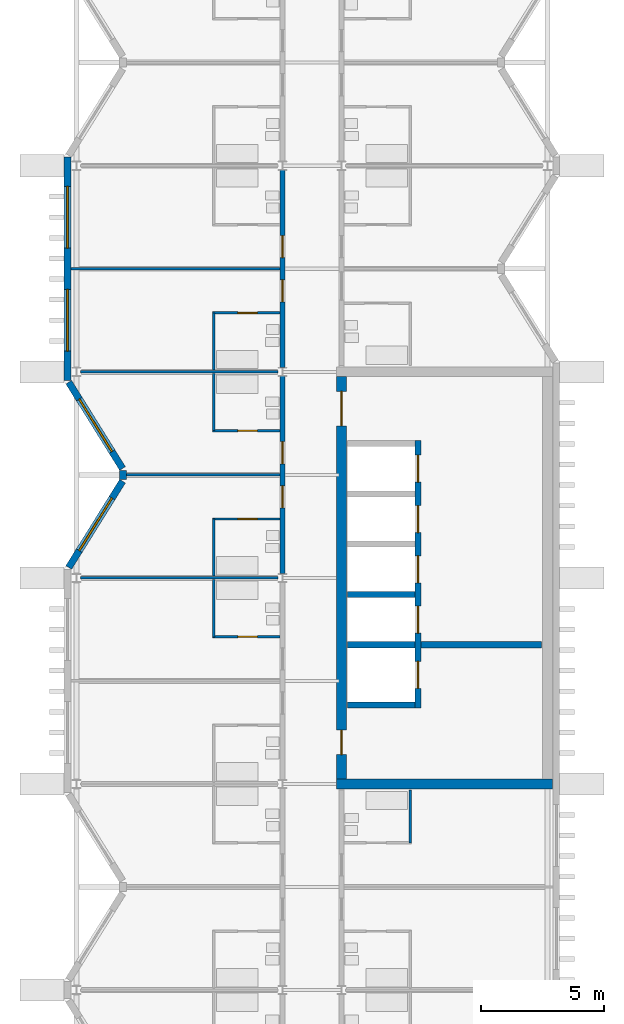
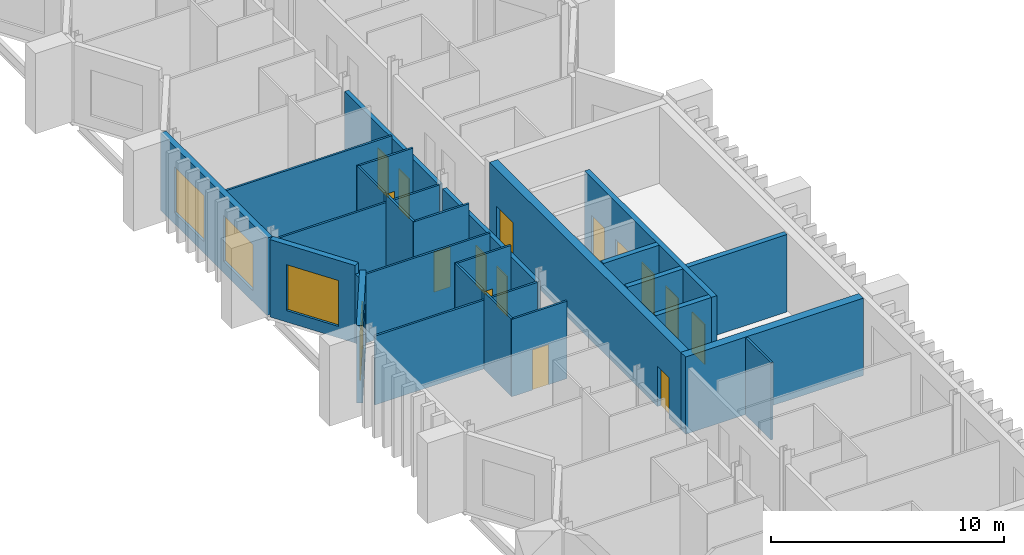
# One storey, part 6 of 11: 26 walls, 15 doors, 4 windows, 19 openings.
"""IFC4 building model written with IfcOpenShell, lengths in metres."""

import ifcopenshell
import ifcopenshell.guid

model = None  # the IFC model being written
_history = None  # IfcOwnerHistory: only IFC2X3 demands one
_inside = {}  # id of a spatial element -> (the spatial element, [elements in it])
_under = {}  # id of a project, library or spatial element -> (it, [spatial elements below it])
_declared = {}  # id of a project -> (the project, [libraries it declares])
_typed = {}  # id of a type object -> (the type object, [elements of that type])
_made_of = {}  # id of a material, layer set ... -> (it, [elements and type objects made of it])


def new_model(schema):
    """Start an empty IFC model of exactly this schema.

    Asked for "IFC4X3", IfcOpenShell would pick the latest addendum, in which some entities
    have other attributes; the version numbers below select the first issue.
    IFC2X3 requires an IfcOwnerHistory on every rooted entity: one is made here for all.
    """
    global model, _history
    if schema == "IFC4X3":
        model = ifcopenshell.file(schema_version=(4, 3, 0, 0))
    else:
        model = ifcopenshell.file(schema=schema)
    _inside.clear()
    _under.clear()
    _declared.clear()
    _typed.clear()
    _made_of.clear()
    _history = None
    if model.schema == "IFC2X3":
        org = make("IfcOrganization", Name="unknown")
        user = make(
            "IfcPersonAndOrganization",
            ThePerson=make("IfcPerson", FamilyName="unknown"),
            TheOrganization=org,
        )
        app = make(
            "IfcApplication",
            ApplicationDeveloper=org,
            Version="unknown",
            ApplicationFullName="unknown",
            ApplicationIdentifier="unknown",
        )
        _history = make(
            "IfcOwnerHistory",
            OwningUser=user,
            OwningApplication=app,
            ChangeAction="ADDED",
            CreationDate=0,
        )
    return model


def make(cls, **values):
    """One entity of the class cls with the attributes given. An attribute that is None is left unset."""
    return model.create_entity(
        cls, **{name: value for name, value in values.items() if value is not None}
    )


def rooted(cls, **values):
    """An entity with a GlobalId (a new one), such as an element, a storey or a relation."""
    return make(cls, GlobalId=ifcopenshell.guid.new(), OwnerHistory=_history, **values)


def si_unit(unit_type, name, prefix=None):
    """IfcSIUnit, for example si_unit("LENGTHUNIT", "METRE", prefix="MILLI")."""
    return make("IfcSIUnit", UnitType=unit_type, Prefix=prefix, Name=name)


def assignment(units):
    """IfcUnitAssignment: the units of a project."""
    return None if units is None else make("IfcUnitAssignment", Units=units)


def point(xyz):
    """IfcCartesianPoint."""
    return None if xyz is None else make("IfcCartesianPoint", Coordinates=xyz)


def direction(xyz):
    """IfcDirection."""
    return None if xyz is None else make("IfcDirection", DirectionRatios=xyz)


def frame(location, z_axis=None, x_axis=None):
    """IfcAxis2Placement3D, a coordinate frame: its origin and axes. An axis left out is left unset."""
    return make(
        "IfcAxis2Placement3D",
        Location=point(location),
        Axis=direction(z_axis),
        RefDirection=direction(x_axis),
    )


def frame_2d(location, x_axis=None):
    """IfcAxis2Placement2D, a coordinate frame in the plane: its origin and x axis."""
    return make(
        "IfcAxis2Placement2D", Location=point(location), RefDirection=direction(x_axis)
    )


def origin():
    """The frame at (0, 0, 0) with its axes left unset."""
    return frame((0.0, 0.0, 0.0))


def place(relative_to, where):
    """IfcLocalPlacement: puts the frame where relative to a parent placement (None: the world)."""
    return make(
        "IfcLocalPlacement", PlacementRelTo=relative_to, RelativePlacement=where
    )


def context(
    kind, dimensions, precision=None, world=None, true_north=None, identifier=None
):
    """IfcGeometricRepresentationContext, for example the 3D "Model" context."""
    return make(
        "IfcGeometricRepresentationContext",
        ContextIdentifier=identifier,
        ContextType=kind,
        CoordinateSpaceDimension=dimensions,
        Precision=precision,
        WorldCoordinateSystem=world,
        TrueNorth=true_north,
    )


def subcontext(parent, identifier, kind, view, scale=None):
    """IfcGeometricRepresentationSubContext, for example "Body" below "Model"."""
    return make(
        "IfcGeometricRepresentationSubContext",
        ContextIdentifier=identifier,
        ContextType=kind,
        ParentContext=parent,
        TargetScale=scale,
        TargetView=view,
    )


def project(units=None, contexts=None):
    """IfcProject with its units and contexts."""
    return rooted(
        "IfcProject",
        Name="project",
        RepresentationContexts=contexts,
        UnitsInContext=assignment(units),
    )


def spatial(cls, under=None, at=None, **own):
    """A site, building, storey or space (cls), placed at a placement, below another one or the project."""
    s = rooted(cls, ObjectPlacement=at, **own)
    if under is not None:
        _under.setdefault(under.id(), (under, []))[1].append(s)
    return s


def profile(cls, at=None, kind="AREA", **sizes):
    """A parametric profile (cls). Its sizes go by their IFC names, for example OverallWidth=200.0."""
    return make(cls, ProfileType=kind, Position=at, **sizes)


def rectangle(**sizes):
    """IfcRectangleProfileDef."""
    return profile("IfcRectangleProfileDef", **sizes)


def extrude(swept, where, along, depth):
    """IfcExtrudedAreaSolid: the profile swept, set in the frame where, extruded along a direction by depth."""
    return make(
        "IfcExtrudedAreaSolid",
        SweptArea=swept,
        Position=where,
        ExtrudedDirection=direction(along),
        Depth=depth,
    )


def shape(context_of_items, identifier, shape_type, items):
    """IfcShapeRepresentation: the items that make up one representation, for example the "Body"."""
    return make(
        "IfcShapeRepresentation",
        ContextOfItems=context_of_items,
        RepresentationIdentifier=identifier,
        RepresentationType=shape_type,
        Items=items,
    )


def material(Name=None, Category=None):
    """IfcMaterial."""
    return make("IfcMaterial", Name=Name, Category=Category)


def layer(
    of_material, thickness, ventilated=None, Name=None, Category=None, Priority=None
):
    """IfcMaterialLayer: one layer of a wall or slab, of a material (None: an air gap)."""
    return make(
        "IfcMaterialLayer",
        Material=of_material,
        LayerThickness=thickness,
        IsVentilated=ventilated,
        Name=Name,
        Category=Category,
        Priority=Priority,
    )


def layer_set(layers, Name=None):
    """IfcMaterialLayerSet."""
    return make("IfcMaterialLayerSet", MaterialLayers=layers, LayerSetName=Name)


def made_of(thing, what):
    """Note that an element or type object is made of a material, layer set ...; save() writes the relation."""
    if what is not None:
        _made_of.setdefault(what.id(), (what, []))[1].append(thing)
    return thing


def type_object(cls, material=None, **own):
    """A type object (cls), such as IfcWallType, which elements share."""
    return made_of(rooted(cls, **own), material)


def element(
    cls,
    number,
    at=None,
    inside=None,
    cuts=None,
    type_object=None,
    material=None,
    context=None,
    identifier="Body",
    shape_type=None,
    held_by="IfcProductDefinitionShape",
    body=None,
    shapes=None,
    **own,
):
    """One element of the class cls, such as IfcWall. Its Tag is "e" and its number.

    at: its placement. inside: the storey or other place that contains it. cuts: it is an
    opening in that element (IfcRelVoidsElement). A single representation is given by context,
    identifier, shape_type and body (its items); several are given by shapes. held_by: the class
    of the entity that holds the representations. save() writes the other relations.
    """
    e = rooted(cls, Tag="e%d" % number, ObjectPlacement=at, **own)
    if body is not None:
        shapes = [shape(context, identifier, shape_type, body)]
    if shapes is not None:
        e.Representation = make(held_by, Representations=shapes)
    if inside is not None:
        _inside.setdefault(inside.id(), (inside, []))[1].append(e)
    if cuts is not None:
        rooted(
            "IfcRelVoidsElement", RelatingBuildingElement=cuts, RelatedOpeningElement=e
        )
    if type_object is not None:
        _typed.setdefault(type_object.id(), (type_object, []))[1].append(e)
    return made_of(e, material)


def fill(opening, filler):
    """IfcRelFillsElement: the door or window that sits in an opening."""
    return rooted(
        "IfcRelFillsElement",
        RelatingOpeningElement=opening,
        RelatedBuildingElement=filler,
    )


def aggregate(whole, parts):
    """IfcRelAggregates: a whole, such as a stair, and the parts it consists of."""
    return rooted("IfcRelAggregates", RelatingObject=whole, RelatedObjects=parts)


def save(model, path):
    """Write the relations noted so far, then the file.

    IfcRelAggregates (storeys below a building ...), IfcRelContainedInSpatialStructure (elements
    in a storey), IfcRelDefinesByType, IfcRelAssociatesMaterial and IfcRelDeclares: one each for
    every whole, place, type object, material and project.
    """
    for whole, parts in _under.values():
        aggregate(whole, parts)
    for where, things in _inside.values():
        rooted(
            "IfcRelContainedInSpatialStructure",
            RelatedElements=things,
            RelatingStructure=where,
        )
    for kind, things in _typed.values():
        rooted("IfcRelDefinesByType", RelatedObjects=things, RelatingType=kind)
    for what, things in _made_of.values():
        rooted("IfcRelAssociatesMaterial", RelatedObjects=things, RelatingMaterial=what)
    for by, libraries in _declared.values():
        rooted("IfcRelDeclares", RelatingContext=by, RelatedDefinitions=libraries)
    model.write(path)


model = new_model("IFC4")

# Units and contexts
model_context = context("Model", 3, precision=1e-05, world=origin(), true_north=direction((0.0, 1.0)))
body_context = subcontext(model_context, "Body", "Model", "MODEL_VIEW")
ifc_project = project(units=[si_unit("LENGTHUNIT", "METRE"), si_unit("AREAUNIT", "SQUARE_METRE"), si_unit("VOLUMEUNIT", "CUBIC_METRE"), si_unit("PLANEANGLEUNIT", "RADIAN"), si_unit("MASSUNIT", "GRAM", prefix="KILO")], contexts=[model_context])

# Site, building, storey
site_placement = place(None, origin())
site = spatial("IfcSite", under=ifc_project, at=site_placement, CompositionType="ELEMENT")
building_placement = place(site_placement, origin())
building = spatial("IfcBuilding", under=site, at=building_placement, Name="Cresset Court Congress Hotel", CompositionType="ELEMENT")
storey_placement = place(building_placement, frame((0.0, 0.0, 39.60009765625)))
storey = spatial("IfcBuildingStorey", under=building, at=storey_placement, Name="L09", CompositionType="ELEMENT", Elevation=39.60009765625)

# Wall, openings, doors
ifc_material_1 = material(Name="Gypsum board partition")
ifc_layer_1 = layer(ifc_material_1, 0.199951171875)
ifc_layer_set_1 = layer_set([ifc_layer_1], Name="Corridor wall 200")
wall_type_1 = type_object("IfcWallType", Name="Corridor wall 200", PredefinedType="PARTITIONING", material=ifc_layer_set_1)
wall_1_placement = place(storey_placement, frame((165.60009765625, 33.77490234375, 0.0), z_axis=(0.0, 0.0, 1.0), x_axis=(0.0, 1.0, 0.0)))
wall_1 = element("IfcWall", 1, at=wall_1_placement, inside=storey, type_object=wall_type_1, Name="A.wl.L09.074", PredefinedType="PARTITIONING", context=body_context, shape_type="SweptSolid", body=[
    extrude(rectangle(XDim=8.050048828125, YDim=0.199951171875, at=frame_2d((4.02490234375, 0.0))), origin(), (0.0, 0.0, 1.0), 3.449951171875),
])
opening_1_placement = place(wall_1_placement, frame((2.675048828125, 0.0, 0.0)))
opening_1 = element("IfcOpeningElement", 2, at=opening_1_placement, cuts=wall_1, Name="Opening DA-09-18", PredefinedType="OPENING", context=body_context, shape_type="SweptSolid", body=[
    extrude(rectangle(XDim=0.89990234375, YDim=2.10009765625, at=frame_2d((0.449951171875, 1.050048828125))), frame((0.0, 0.10986328125, 0.0), z_axis=(0.0, -1.0, 0.0), x_axis=(1.0, 0.0, 0.0)), (0.0, 0.0, 1.0), 0.219970703125),
])
opening_2_placement = place(wall_1_placement, frame((4.47509765625, 0.0, 0.0)))
opening_2 = element("IfcOpeningElement", 3, at=opening_2_placement, cuts=wall_1, Name="Opening DA-09-20", PredefinedType="OPENING", context=body_context, shape_type="SweptSolid", body=[
    extrude(rectangle(XDim=0.89990234375, YDim=2.10009765625, at=frame_2d((0.449951171875, 1.050048828125))), frame((0.0, 0.10986328125, 0.0), z_axis=(0.0, -1.0, 0.0), x_axis=(1.0, 0.0, 0.0)), (0.0, 0.0, 1.0), 0.219970703125),
])
ifc_material_2 = material(Name="timber", Category="wood")
door_type_1 = type_object("IfcDoorType", Name="Guest-room entry door 900x2100 FD30S", OperationType="SINGLE_SWING_LEFT", PredefinedType="DOOR", material=ifc_material_2)
door_1_placement = place(opening_1_placement, origin())
door_1 = element("IfcDoor", 4, at=door_1_placement, inside=storey, type_object=door_type_1, Name="Door DA-09-18", OperationType="SINGLE_SWING_RIGHT", OverallHeight=2.10009765625, OverallWidth=0.89990234375, PredefinedType="DOOR", context=body_context, shape_type="SweptSolid", body=[
    extrude(rectangle(XDim=0.89990234375, YDim=2.10009765625, at=frame_2d((0.449951171875, 1.050048828125))), frame((0.0, 0.02490234375, 0.0), z_axis=(0.0, -1.0, 0.0), x_axis=(1.0, 0.0, 0.0)), (0.0, 0.0, 1.0), 0.050048828125),
])
fill(opening_1, door_1)
door_2_placement = place(opening_2_placement, origin())
door_2 = element("IfcDoor", 5, at=door_2_placement, inside=storey, type_object=door_type_1, Name="Door DA-09-20", OperationType="SINGLE_SWING_LEFT", OverallHeight=2.10009765625, OverallWidth=0.89990234375, PredefinedType="DOOR", context=body_context, shape_type="SweptSolid", body=[
    extrude(rectangle(XDim=0.89990234375, YDim=2.10009765625, at=frame_2d((0.449951171875, 1.050048828125))), frame((0.0, 0.02490234375, 0.0), z_axis=(0.0, -1.0, 0.0), x_axis=(1.0, 0.0, 0.0)), (0.0, 0.0, 1.0), 0.050048828125),
])
fill(opening_2, door_2)

wall_2_placement = place(storey_placement, frame((165.60009765625, 42.175048828125, 0.0), z_axis=(0.0, 0.0, 1.0), x_axis=(0.0, 1.0, 0.0)))
wall_2 = element("IfcWall", 6, at=wall_2_placement, inside=storey, type_object=wall_type_1, Name="A.wl.L09.075", PredefinedType="PARTITIONING", context=body_context, shape_type="SweptSolid", body=[
    extrude(rectangle(XDim=8.050048828125, YDim=0.199951171875, at=frame_2d((4.02490234375, 0.0))), origin(), (0.0, 0.0, 1.0), 3.449951171875),
])
opening_3_placement = place(wall_2_placement, frame((2.675048828125, 0.0, 0.0)))
opening_3 = element("IfcOpeningElement", 7, at=opening_3_placement, cuts=wall_2, Name="Opening DA-09-22", PredefinedType="OPENING", context=body_context, shape_type="SweptSolid", body=[
    extrude(rectangle(XDim=0.89990234375, YDim=2.10009765625, at=frame_2d((0.449951171875, 1.050048828125))), frame((0.0, 0.10986328125, 0.0), z_axis=(0.0, -1.0, 0.0), x_axis=(1.0, 0.0, 0.0)), (0.0, 0.0, 1.0), 0.219970703125),
])
opening_4_placement = place(wall_2_placement, frame((4.47509765625, 0.0, 0.0)))
opening_4 = element("IfcOpeningElement", 8, at=opening_4_placement, cuts=wall_2, Name="Opening DA-09-24", PredefinedType="OPENING", context=body_context, shape_type="SweptSolid", body=[
    extrude(rectangle(XDim=0.89990234375, YDim=2.10009765625, at=frame_2d((0.449951171875, 1.050048828125))), frame((0.0, 0.10986328125, 0.0), z_axis=(0.0, -1.0, 0.0), x_axis=(1.0, 0.0, 0.0)), (0.0, 0.0, 1.0), 0.219970703125),
])
door_3_placement = place(opening_3_placement, origin())
door_3 = element("IfcDoor", 9, at=door_3_placement, inside=storey, type_object=door_type_1, Name="Door DA-09-22", OperationType="SINGLE_SWING_RIGHT", OverallHeight=2.10009765625, OverallWidth=0.89990234375, PredefinedType="DOOR", context=body_context, shape_type="SweptSolid", body=[
    extrude(rectangle(XDim=0.89990234375, YDim=2.10009765625, at=frame_2d((0.449951171875, 1.050048828125))), frame((0.0, 0.02490234375, 0.0), z_axis=(0.0, -1.0, 0.0), x_axis=(1.0, 0.0, 0.0)), (0.0, 0.0, 1.0), 0.050048828125),
])
fill(opening_3, door_3)
door_4_placement = place(opening_4_placement, origin())
door_4 = element("IfcDoor", 10, at=door_4_placement, inside=storey, type_object=door_type_1, Name="Door DA-09-24", OperationType="SINGLE_SWING_LEFT", OverallHeight=2.10009765625, OverallWidth=0.89990234375, PredefinedType="DOOR", context=body_context, shape_type="SweptSolid", body=[
    extrude(rectangle(XDim=0.89990234375, YDim=2.10009765625, at=frame_2d((0.449951171875, 1.050048828125))), frame((0.0, 0.02490234375, 0.0), z_axis=(0.0, -1.0, 0.0), x_axis=(1.0, 0.0, 0.0)), (0.0, 0.0, 1.0), 0.050048828125),
])
fill(opening_4, door_4)

# Wall
ifc_material_3 = material(Name="Gypsum board partition")
ifc_layer_2 = layer(ifc_material_3, 0.10009765625)
ifc_layer_set_2 = layer_set([ifc_layer_2], Name="En-suite wall 100")
wall_type_2 = type_object("IfcWallType", Name="En-suite wall 100", PredefinedType="PARTITIONING", material=ifc_layer_set_2)
wall_3_placement = place(storey_placement, frame((162.800048828125, 31.199951171875, 0.0), z_axis=(0.0, 0.0, 1.0), x_axis=(0.0, 1.0, 0.0)))
element("IfcWall", 11, at=wall_3_placement, inside=storey, type_object=wall_type_2, Name="A.wl.L09.015", PredefinedType="PARTITIONING", context=body_context, shape_type="SweptSolid", body=[
    extrude(rectangle(XDim=2.324951171875, YDim=0.10009765625, at=frame_2d((1.16259765625, 0.0))), origin(), (0.0, 0.0, 1.0), 4.0498046875),
])

# Wall, opening, door
wall_4_placement = place(storey_placement, frame((162.75, 31.199951171875, 0.0), z_axis=(0.0, 0.0, 1.0), x_axis=(1.0, 0.0, 0.0)))
wall_4 = element("IfcWall", 12, at=wall_4_placement, inside=storey, type_object=wall_type_2, Name="A.wl.L09.016", PredefinedType="PARTITIONING", context=body_context, shape_type="SweptSolid", body=[
    extrude(rectangle(XDim=2.75, YDim=0.10009765625, at=frame_2d((1.375, 0.0))), origin(), (0.0, 0.0, 1.0), 4.0498046875),
])
opening_5_placement = place(wall_4_placement, frame((1.030029296875, 0.0, 0.0)))
opening_5 = element("IfcOpeningElement", 13, at=opening_5_placement, cuts=wall_4, Name="Opening DA-09-15", PredefinedType="OPENING", context=body_context, shape_type="SweptSolid", body=[
    extrude(rectangle(XDim=0.800048828125, YDim=2.10009765625, at=frame_2d((0.39990234375, 1.050048828125))), frame((0.0, 0.06005859375, 0.0), z_axis=(0.0, -1.0, 0.0), x_axis=(1.0, 0.0, 0.0)), (0.0, 0.0, 1.0), 0.1201171875),
])
ifc_material_4 = material(Name="timber", Category="wood")
door_type_2 = type_object("IfcDoorType", Name="En-suite door 800x2100", OperationType="SINGLE_SWING_LEFT", PredefinedType="DOOR", material=ifc_material_4)
door_5_placement = place(opening_5_placement, origin())
door_5 = element("IfcDoor", 14, at=door_5_placement, inside=storey, type_object=door_type_2, Name="Door DA-09-15", OperationType="SINGLE_SWING_LEFT", OverallHeight=2.10009765625, OverallWidth=0.800048828125, PredefinedType="DOOR", context=body_context, shape_type="SweptSolid", body=[
    extrude(rectangle(XDim=0.800048828125, YDim=2.10009765625, at=frame_2d((0.39990234375, 1.050048828125))), frame((0.0, 0.02490234375, 0.0), z_axis=(0.0, -1.0, 0.0), x_axis=(1.0, 0.0, 0.0)), (0.0, 0.0, 1.0), 0.050048828125),
])
fill(opening_5, door_5)

# Wall
wall_5_placement = place(storey_placement, frame((162.800048828125, 33.675048828125, 0.0), z_axis=(0.0, 0.0, 1.0), x_axis=(0.0, 1.0, 0.0)))
element("IfcWall", 15, at=wall_5_placement, inside=storey, type_object=wall_type_2, Name="A.wl.L09.017", PredefinedType="PARTITIONING", context=body_context, shape_type="SweptSolid", body=[
    extrude(rectangle(XDim=2.324951171875, YDim=0.10009765625, at=frame_2d((1.16259765625, 0.0))), origin(), (0.0, 0.0, 1.0), 4.0498046875),
])

# Wall, opening, door
wall_6_placement = place(storey_placement, frame((162.75, 36.0, 0.0), z_axis=(0.0, 0.0, 1.0), x_axis=(1.0, 0.0, 0.0)))
wall_6 = element("IfcWall", 16, at=wall_6_placement, inside=storey, type_object=wall_type_2, Name="A.wl.L09.018", PredefinedType="PARTITIONING", context=body_context, shape_type="SweptSolid", body=[
    extrude(rectangle(XDim=2.75, YDim=0.10009765625, at=frame_2d((1.375, 0.0))), origin(), (0.0, 0.0, 1.0), 4.0498046875),
])
opening_6_placement = place(wall_6_placement, frame((1.030029296875, 0.0, 0.0)))
opening_6 = element("IfcOpeningElement", 17, at=opening_6_placement, cuts=wall_6, Name="Opening DA-09-17", PredefinedType="OPENING", context=body_context, shape_type="SweptSolid", body=[
    extrude(rectangle(XDim=0.800048828125, YDim=2.10009765625, at=frame_2d((0.39990234375, 1.050048828125))), frame((0.0, 0.06005859375, 0.0), z_axis=(0.0, -1.0, 0.0), x_axis=(1.0, 0.0, 0.0)), (0.0, 0.0, 1.0), 0.1201171875),
])
door_6_placement = place(opening_6_placement, origin())
door_6 = element("IfcDoor", 18, at=door_6_placement, inside=storey, type_object=door_type_2, Name="Door DA-09-17", OperationType="SINGLE_SWING_RIGHT", OverallHeight=2.10009765625, OverallWidth=0.800048828125, PredefinedType="DOOR", context=body_context, shape_type="SweptSolid", body=[
    extrude(rectangle(XDim=0.800048828125, YDim=2.10009765625, at=frame_2d((0.39990234375, 1.050048828125))), frame((0.0, 0.02490234375, 0.0), z_axis=(0.0, -1.0, 0.0), x_axis=(1.0, 0.0, 0.0)), (0.0, 0.0, 1.0), 0.050048828125),
])
fill(opening_6, door_6)

# Wall
wall_7_placement = place(storey_placement, frame((162.800048828125, 39.60009765625, 0.0), z_axis=(0.0, 0.0, 1.0), x_axis=(0.0, 1.0, 0.0)))
element("IfcWall", 19, at=wall_7_placement, inside=storey, type_object=wall_type_2, Name="A.wl.L09.019", PredefinedType="PARTITIONING", context=body_context, shape_type="SweptSolid", body=[
    extrude(rectangle(XDim=2.324951171875, YDim=0.10009765625, at=frame_2d((1.16259765625, 0.0))), origin(), (0.0, 0.0, 1.0), 4.0498046875),
])

# Wall, opening, door
wall_8_placement = place(storey_placement, frame((162.75, 39.60009765625, 0.0), z_axis=(0.0, 0.0, 1.0), x_axis=(1.0, 0.0, 0.0)))
wall_8 = element("IfcWall", 20, at=wall_8_placement, inside=storey, type_object=wall_type_2, Name="A.wl.L09.020", PredefinedType="PARTITIONING", context=body_context, shape_type="SweptSolid", body=[
    extrude(rectangle(XDim=2.75, YDim=0.10009765625, at=frame_2d((1.375, 0.0))), origin(), (0.0, 0.0, 1.0), 4.0498046875),
])
opening_7_placement = place(wall_8_placement, frame((1.030029296875, 0.0, 0.0)))
opening_7 = element("IfcOpeningElement", 21, at=opening_7_placement, cuts=wall_8, Name="Opening DA-09-19", PredefinedType="OPENING", context=body_context, shape_type="SweptSolid", body=[
    extrude(rectangle(XDim=0.800048828125, YDim=2.10009765625, at=frame_2d((0.39990234375, 1.050048828125))), frame((0.0, 0.06005859375, 0.0), z_axis=(0.0, -1.0, 0.0), x_axis=(1.0, 0.0, 0.0)), (0.0, 0.0, 1.0), 0.1201171875),
])
door_7_placement = place(opening_7_placement, origin())
door_7 = element("IfcDoor", 22, at=door_7_placement, inside=storey, type_object=door_type_2, Name="Door DA-09-19", OperationType="SINGLE_SWING_LEFT", OverallHeight=2.10009765625, OverallWidth=0.800048828125, PredefinedType="DOOR", context=body_context, shape_type="SweptSolid", body=[
    extrude(rectangle(XDim=0.800048828125, YDim=2.10009765625, at=frame_2d((0.39990234375, 1.050048828125))), frame((0.0, 0.02490234375, 0.0), z_axis=(0.0, -1.0, 0.0), x_axis=(1.0, 0.0, 0.0)), (0.0, 0.0, 1.0), 0.050048828125),
])
fill(opening_7, door_7)

# Wall
wall_9_placement = place(storey_placement, frame((162.800048828125, 42.074951171875, 0.0), z_axis=(0.0, 0.0, 1.0), x_axis=(0.0, 1.0, 0.0)))
element("IfcWall", 23, at=wall_9_placement, inside=storey, type_object=wall_type_2, Name="A.wl.L09.021", PredefinedType="PARTITIONING", context=body_context, shape_type="SweptSolid", body=[
    extrude(rectangle(XDim=2.324951171875, YDim=0.10009765625, at=frame_2d((1.16259765625, 0.0))), origin(), (0.0, 0.0, 1.0), 4.0498046875),
])

# Wall, opening, door
wall_10_placement = place(storey_placement, frame((162.75, 44.39990234375, 0.0), z_axis=(0.0, 0.0, 1.0), x_axis=(1.0, 0.0, 0.0)))
wall_10 = element("IfcWall", 24, at=wall_10_placement, inside=storey, type_object=wall_type_2, Name="A.wl.L09.022", PredefinedType="PARTITIONING", context=body_context, shape_type="SweptSolid", body=[
    extrude(rectangle(XDim=2.75, YDim=0.10009765625, at=frame_2d((1.375, 0.0))), origin(), (0.0, 0.0, 1.0), 4.0498046875),
])
opening_8_placement = place(wall_10_placement, frame((1.030029296875, 0.0, 0.0)))
opening_8 = element("IfcOpeningElement", 25, at=opening_8_placement, cuts=wall_10, Name="Opening DA-09-21", PredefinedType="OPENING", context=body_context, shape_type="SweptSolid", body=[
    extrude(rectangle(XDim=0.800048828125, YDim=2.10009765625, at=frame_2d((0.39990234375, 1.050048828125))), frame((0.0, 0.06005859375, 0.0), z_axis=(0.0, -1.0, 0.0), x_axis=(1.0, 0.0, 0.0)), (0.0, 0.0, 1.0), 0.1201171875),
])
door_8_placement = place(opening_8_placement, origin())
door_8 = element("IfcDoor", 26, at=door_8_placement, inside=storey, type_object=door_type_2, Name="Door DA-09-21", OperationType="SINGLE_SWING_RIGHT", OverallHeight=2.10009765625, OverallWidth=0.800048828125, PredefinedType="DOOR", context=body_context, shape_type="SweptSolid", body=[
    extrude(rectangle(XDim=0.800048828125, YDim=2.10009765625, at=frame_2d((0.39990234375, 1.050048828125))), frame((0.0, 0.02490234375, 0.0), z_axis=(0.0, -1.0, 0.0), x_axis=(1.0, 0.0, 0.0)), (0.0, 0.0, 1.0), 0.050048828125),
])
fill(opening_8, door_8)

# Wall
wall_11_placement = place(storey_placement, frame((170.800048828125, 22.800048828125, 0.0), z_axis=(0.0, 0.0, 1.0), x_axis=(0.0, 1.0, 0.0)))
element("IfcWall", 27, at=wall_11_placement, inside=storey, type_object=wall_type_2, Name="A.wl.L09.039", PredefinedType="PARTITIONING", context=body_context, shape_type="SweptSolid", body=[
    extrude(rectangle(XDim=2.14990234375, YDim=0.10009765625, at=frame_2d((1.074951171875, 0.0))), origin(), (0.0, 0.0, 1.0), 4.0498046875),
])

# Wall, opening, window
ifc_material_5 = material(Name="Precast concrete C50", Category="concrete")
ifc_layer_3 = layer(ifc_material_5, 0.280029296875)
ifc_layer_set_3 = layer_set([ifc_layer_3], Name="External wall 280")
wall_type_3 = type_object("IfcWallType", Name="External wall 280", PredefinedType="SOLIDWALL", material=ifc_layer_set_3)
wall_12_placement = place(storey_placement, frame((156.88623046875, 34.024169921875, 0.0), z_axis=(0.0, 0.0, 1.0), x_axis=(0.529018946142, 0.848610013271, 0.0)))
wall_12 = element("IfcWall", 28, at=wall_12_placement, inside=storey, type_object=wall_type_3, Name="A.ew.L09.Wn.4.0", PredefinedType="SOLIDWALL", context=body_context, shape_type="SweptSolid", body=[
    extrude(rectangle(XDim=4.144287109375, YDim=0.280029296875, at=frame_2d((2.072265625, 0.0))), origin(), (0.0, 0.0, 1.0), 4.0498046875),
])
opening_9_placement = place(wall_12_placement, frame((0.812255859375, 0.0, 0.60009765625)))
opening_9 = element("IfcOpeningElement", 29, at=opening_9_placement, cuts=wall_12, Name="Opening NA-09-09", PredefinedType="OPENING", context=body_context, shape_type="SweptSolid", body=[
    extrude(rectangle(XDim=2.52001953125, YDim=2.39990234375, at=frame_2d((1.260009765625, 1.199951171875))), frame((0.0, 0.14990234375, 0.0), z_axis=(0.0, -1.0, 0.0), x_axis=(1.0, 0.0, 0.0)), (0.0, 0.0, 1.0), 0.300048828125),
])
ifc_material_6 = material(Name="Aluminium and glass", Category="aluminium")
window_type = type_object("IfcWindowType", Name="Window 2520x2400", PartitioningType="SINGLE_PANEL", PredefinedType="WINDOW", material=ifc_material_6)
window_1_placement = place(opening_9_placement, origin())
window_1 = element("IfcWindow", 30, at=window_1_placement, inside=storey, type_object=window_type, Name="Window NA-09-09", OverallHeight=2.39990234375, OverallWidth=2.52001953125, PartitioningType="SINGLE_PANEL", PredefinedType="WINDOW", context=body_context, shape_type="SweptSolid", body=[
    extrude(rectangle(XDim=2.52001953125, YDim=2.39990234375, at=frame_2d((1.260009765625, 1.199951171875))), frame((0.0, 0.030029296875, 0.0), z_axis=(0.0, -1.0, 0.0), x_axis=(1.0, 0.0, 0.0)), (0.0, 0.0, 1.0), 0.06005859375),
])
fill(opening_9, window_1)

wall_13_placement = place(storey_placement, frame((159.07861328125, 38.05908203125, 0.0), z_axis=(0.0, 0.0, 1.0), x_axis=(-0.529018946142, 0.848610013271, 0.0)))
wall_13 = element("IfcWall", 31, at=wall_13_placement, inside=storey, type_object=wall_type_3, Name="A.ew.L09.Wn.4.1", PredefinedType="SOLIDWALL", context=body_context, shape_type="SweptSolid", body=[
    extrude(rectangle(XDim=4.144287109375, YDim=0.280029296875, at=frame_2d((2.072265625, 0.0))), origin(), (0.0, 0.0, 1.0), 4.0498046875),
])
opening_10_placement = place(wall_13_placement, frame((0.812255859375, 0.0, 0.60009765625)))
opening_10 = element("IfcOpeningElement", 32, at=opening_10_placement, cuts=wall_13, Name="Opening NA-09-10", PredefinedType="OPENING", context=body_context, shape_type="SweptSolid", body=[
    extrude(rectangle(XDim=2.52001953125, YDim=2.39990234375, at=frame_2d((1.260009765625, 1.199951171875))), frame((0.0, 0.14990234375, 0.0), z_axis=(0.0, -1.0, 0.0), x_axis=(1.0, 0.0, 0.0)), (0.0, 0.0, 1.0), 0.300048828125),
])
window_2_placement = place(opening_10_placement, origin())
window_2 = element("IfcWindow", 33, at=window_2_placement, inside=storey, type_object=window_type, Name="Window NA-09-10", OverallHeight=2.39990234375, OverallWidth=2.52001953125, PartitioningType="SINGLE_PANEL", PredefinedType="WINDOW", context=body_context, shape_type="SweptSolid", body=[
    extrude(rectangle(XDim=2.52001953125, YDim=2.39990234375, at=frame_2d((1.260009765625, 1.199951171875))), frame((0.0, 0.030029296875, 0.0), z_axis=(0.0, -1.0, 0.0), x_axis=(1.0, 0.0, 0.0)), (0.0, 0.0, 1.0), 0.06005859375),
])
fill(opening_10, window_2)

# Wall
wall_14_placement = place(storey_placement, frame((159.099609375, 37.614990234375, 0.0), z_axis=(0.0, 0.0, 1.0), x_axis=(0.0, 1.0, 0.0)))
element("IfcWall", 34, at=wall_14_placement, inside=storey, type_object=wall_type_3, Name="A.ew.L09.Wn.4.2", PredefinedType="SOLIDWALL", context=body_context, shape_type="SweptSolid", body=[
    extrude(rectangle(XDim=0.369873046875, YDim=0.280029296875, at=frame_2d((0.18505859375, 0.0))), origin(), (0.0, 0.0, 1.0), 3.60400390625),
])

# Wall, openings, windows
wall_15_placement = place(storey_placement, frame((156.840087890625, 41.64990234375, 0.0), z_axis=(0.0, 0.0, 1.0), x_axis=(0.0, 1.0, 0.0)))
wall_15 = element("IfcWall", 35, at=wall_15_placement, inside=storey, type_object=wall_type_3, Name="A.ew.L09.W.4", PredefinedType="SOLIDWALL", context=body_context, shape_type="SweptSolid", body=[
    extrude(rectangle(XDim=9.10009765625, YDim=0.280029296875, at=frame_2d((4.550048828125, 0.0))), origin(), (0.0, 0.0, 1.0), 4.0498046875),
])
opening_11_placement = place(wall_15_placement, frame((1.18994140625, 0.0, 0.60009765625)))
opening_11 = element("IfcOpeningElement", 36, at=opening_11_placement, cuts=wall_15, Name="Opening NA-09-11", PredefinedType="OPENING", context=body_context, shape_type="SweptSolid", body=[
    extrude(rectangle(XDim=2.52001953125, YDim=2.39990234375, at=frame_2d((1.260009765625, 1.199951171875))), frame((0.0, 0.14990234375, 0.0), z_axis=(0.0, -1.0, 0.0), x_axis=(1.0, 0.0, 0.0)), (0.0, 0.0, 1.0), 0.300048828125),
])
opening_12_placement = place(wall_15_placement, frame((5.389892578125, 0.0, 0.60009765625)))
opening_12 = element("IfcOpeningElement", 37, at=opening_12_placement, cuts=wall_15, Name="Opening NA-09-12", PredefinedType="OPENING", context=body_context, shape_type="SweptSolid", body=[
    extrude(rectangle(XDim=2.52001953125, YDim=2.39990234375, at=frame_2d((1.260009765625, 1.199951171875))), frame((0.0, 0.14990234375, 0.0), z_axis=(0.0, -1.0, 0.0), x_axis=(1.0, 0.0, 0.0)), (0.0, 0.0, 1.0), 0.300048828125),
])
window_3_placement = place(opening_11_placement, origin())
window_3 = element("IfcWindow", 38, at=window_3_placement, inside=storey, type_object=window_type, Name="Window NA-09-11", OverallHeight=2.39990234375, OverallWidth=2.52001953125, PartitioningType="SINGLE_PANEL", PredefinedType="WINDOW", context=body_context, shape_type="SweptSolid", body=[
    extrude(rectangle(XDim=2.52001953125, YDim=2.39990234375, at=frame_2d((1.260009765625, 1.199951171875))), frame((0.0, 0.030029296875, 0.0), z_axis=(0.0, -1.0, 0.0), x_axis=(1.0, 0.0, 0.0)), (0.0, 0.0, 1.0), 0.06005859375),
])
fill(opening_11, window_3)
window_4_placement = place(opening_12_placement, origin())
window_4 = element("IfcWindow", 39, at=window_4_placement, inside=storey, type_object=window_type, Name="Window NA-09-12", OverallHeight=2.39990234375, OverallWidth=2.52001953125, PartitioningType="SINGLE_PANEL", PredefinedType="WINDOW", context=body_context, shape_type="SweptSolid", body=[
    extrude(rectangle(XDim=2.52001953125, YDim=2.39990234375, at=frame_2d((1.260009765625, 1.199951171875))), frame((0.0, 0.030029296875, 0.0), z_axis=(0.0, -1.0, 0.0), x_axis=(1.0, 0.0, 0.0)), (0.0, 0.0, 1.0), 0.06005859375),
])
fill(opening_12, window_4)

# Walls
ifc_material_7 = material(Name="Gypsum board partition")
ifc_layer_4 = layer(ifc_material_7, 0.10009765625)
ifc_layer_set_4 = layer_set([ifc_layer_4], Name="Guest-room partition 100")
wall_type_4 = type_object("IfcWallType", Name="Guest-room partition 100", PredefinedType="PARTITIONING", material=ifc_layer_set_4)
for number, where, z_axis, x_axis, name in (
    (40, (157.375, 33.60009765625, 0.0), (0.0, 0.0, 1.0), (1.0, 0.0, 0.0), "A.wl.L09.052"),
    (41, (157.375, 42.0, 0.0), (0.0, 0.0, 1.0), (1.0, 0.0, 0.0), "A.wl.L09.053"),
):
    element("IfcWall", number, at=place(storey_placement, frame(where, z_axis=z_axis, x_axis=x_axis)), inside=storey, type_object=wall_type_4, Name=name, PredefinedType="PARTITIONING", context=body_context, shape_type="SweptSolid", body=[
        extrude(rectangle(XDim=8.050048828125, YDim=0.10009765625, at=frame_2d((4.02490234375, 0.0))), origin(), (0.0, 0.0, 1.0), 3.60400390625),
    ])
wall_16_placement = place(storey_placement, frame((159.23974609375, 37.800048828125, 0.0), z_axis=(0.0, 0.0, 1.0), x_axis=(1.0, 0.0, 0.0)))
element("IfcWall", 42, at=wall_16_placement, inside=storey, type_object=wall_type_4, Name="A.wl.L09.062", PredefinedType="PARTITIONING", context=body_context, shape_type="SweptSolid", body=[
    extrude(rectangle(XDim=6.26025390625, YDim=0.10009765625, at=frame_2d((3.130126953125, 0.0))), origin(), (0.0, 0.0, 1.0), 3.60400390625),
])
wall_17_placement = place(storey_placement, frame((156.97998046875, 46.199951171875, 0.0), z_axis=(0.0, 0.0, 1.0), x_axis=(1.0, 0.0, 0.0)))
element("IfcWall", 43, at=wall_17_placement, inside=storey, type_object=wall_type_4, Name="A.wl.L09.063", PredefinedType="PARTITIONING", context=body_context, shape_type="SweptSolid", body=[
    extrude(rectangle(XDim=8.52001953125, YDim=0.10009765625, at=frame_2d((4.260009765625, 0.0))), origin(), (0.0, 0.0, 1.0), 3.60400390625),
])
ifc_material_8 = material(Name="Concrete C50", Category="concrete")
ifc_layer_5 = layer(ifc_material_8, 0.39990234375)
ifc_layer_set_5 = layer_set([ifc_layer_5], Name="Lift core wall 400")
wall_type_5 = type_object("IfcWallType", Name="Lift core wall 400", PredefinedType="SOLIDWALL", material=ifc_layer_set_5)
wall_18_placement = place(storey_placement, frame((167.800048828125, 25.199951171875, 0.0), z_axis=(0.0, 0.0, 1.0), x_axis=(1.0, 0.0, 0.0)))
element("IfcWall", 44, at=wall_18_placement, inside=storey, type_object=wall_type_5, Name="A.cw.LC-A.L09.S", PredefinedType="SOLIDWALL", context=body_context, shape_type="SweptSolid", body=[
    extrude(rectangle(XDim=8.800048828125, YDim=0.39990234375, at=frame_2d((4.39990234375, 0.0))), origin(), (0.0, 0.0, 1.0), 4.0498046875),
])

# Wall, openings, doors
wall_19_placement = place(storey_placement, frame((168.0, 25.39990234375, 0.0), z_axis=(0.0, 0.0, 1.0), x_axis=(0.0, 1.0, 0.0)))
wall_19 = element("IfcWall", 45, at=wall_19_placement, inside=storey, type_object=wall_type_5, Name="A.cw.LC-A.L09.W", PredefinedType="SOLIDWALL", context=body_context, shape_type="SweptSolid", body=[
    extrude(rectangle(XDim=16.400146484375, YDim=0.39990234375, at=frame_2d((8.2001953125, 0.0))), origin(), (0.0, 0.0, 1.0), 4.0498046875),
])
opening_13_placement = place(wall_19_placement, frame((1.0, 0.0, 0.0)))
opening_13 = element("IfcOpeningElement", 46, at=opening_13_placement, cuts=wall_19, Name="Opening DA-09-60", PredefinedType="OPENING", context=body_context, shape_type="SweptSolid", body=[
    extrude(rectangle(XDim=1.0, YDim=2.10009765625, at=frame_2d((0.5, 1.050048828125))), frame((0.0, 0.2099609375, 0.0), z_axis=(0.0, -1.0, 0.0), x_axis=(1.0, 0.0, 0.0)), (0.0, 0.0, 1.0), 0.419921875),
])
opening_14_placement = place(wall_19_placement, frame((14.39990234375, 0.0, 0.0)))
opening_14 = element("IfcOpeningElement", 47, at=opening_14_placement, cuts=wall_19, Name="Opening DA-09-61", PredefinedType="OPENING", context=body_context, shape_type="SweptSolid", body=[
    extrude(rectangle(XDim=1.39990234375, YDim=2.10009765625, at=frame_2d((0.699951171875, 1.050048828125))), frame((0.0, 0.2099609375, 0.0), z_axis=(0.0, -1.0, 0.0), x_axis=(1.0, 0.0, 0.0)), (0.0, 0.0, 1.0), 0.419921875),
])
ifc_material_9 = material(Name="steel", Category="steel")
door_type_3 = type_object("IfcDoorType", Name="Lobby door 1000x2100 FD60", OperationType="SINGLE_SWING_LEFT", PredefinedType="DOOR", material=ifc_material_9)
door_9_placement = place(opening_13_placement, origin())
door_9 = element("IfcDoor", 48, at=door_9_placement, inside=storey, type_object=door_type_3, Name="Door DA-09-60", OperationType="SINGLE_SWING_RIGHT", OverallHeight=2.10009765625, OverallWidth=1.0, PredefinedType="DOOR", context=body_context, shape_type="SweptSolid", body=[
    extrude(rectangle(XDim=1.0, YDim=2.10009765625, at=frame_2d((0.5, 1.050048828125))), frame((0.0, 0.02490234375, 0.0), z_axis=(0.0, -1.0, 0.0), x_axis=(1.0, 0.0, 0.0)), (0.0, 0.0, 1.0), 0.050048828125),
])
fill(opening_13, door_9)
ifc_material_10 = material(Name="steel", Category="steel")
door_type_4 = type_object("IfcDoorType", Name="Lobby door 1400x2100 FD60", OperationType="DOUBLE_DOOR_DOUBLE_SWING", PredefinedType="DOOR", material=ifc_material_10)
door_10_placement = place(opening_14_placement, origin())
door_10 = element("IfcDoor", 49, at=door_10_placement, inside=storey, type_object=door_type_4, Name="Door DA-09-61", OperationType="DOUBLE_DOOR_DOUBLE_SWING", OverallHeight=2.10009765625, OverallWidth=1.39990234375, PredefinedType="DOOR", context=body_context, shape_type="SweptSolid", body=[
    extrude(rectangle(XDim=1.39990234375, YDim=2.10009765625, at=frame_2d((0.699951171875, 1.050048828125))), frame((0.0, 0.02490234375, 0.0), z_axis=(0.0, -1.0, 0.0), x_axis=(1.0, 0.0, 0.0)), (0.0, 0.0, 1.0), 0.050048828125),
])
fill(opening_14, door_10)

ifc_material_11 = material(Name="Concrete C50", Category="concrete")
ifc_layer_6 = layer(ifc_material_11, 0.25)
ifc_layer_set_6 = layer_set([ifc_layer_6], Name="Lift shaft wall 250")
wall_type_6 = type_object("IfcWallType", Name="Lift shaft wall 250", PredefinedType="SOLIDWALL", material=ifc_layer_set_6)
wall_20_placement = place(storey_placement, frame((171.125, 28.300048828125, 0.0), z_axis=(0.0, 0.0, 1.0), x_axis=(0.0, 1.0, 0.0)))
wall_20 = element("IfcWall", 50, at=wall_20_placement, inside=storey, type_object=wall_type_6, Name="A.wl.L09.086", PredefinedType="SOLIDWALL", context=body_context, shape_type="SweptSolid", body=[
    extrude(rectangle(XDim=10.89990234375, YDim=0.25, at=frame_2d((5.449951171875, 0.0))), origin(), (0.0, 0.0, 1.0), 4.0498046875),
])
opening_15_placement = place(wall_20_placement, frame((0.800048828125, 0.0, 0.0)))
opening_15 = element("IfcOpeningElement", 51, at=opening_15_placement, cuts=wall_20, Name="Opening LD-A1-09", PredefinedType="OPENING", context=body_context, shape_type="SweptSolid", body=[
    extrude(rectangle(XDim=1.10009765625, YDim=2.10009765625, at=frame_2d((0.550048828125, 1.050048828125))), frame((0.0, 0.135009765625, 0.0), z_axis=(0.0, -1.0, 0.0), x_axis=(1.0, 0.0, 0.0)), (0.0, 0.0, 1.0), 0.27001953125),
])
opening_16_placement = place(wall_20_placement, frame((3.050048828125, 0.0, 0.0)))
opening_16 = element("IfcOpeningElement", 52, at=opening_16_placement, cuts=wall_20, Name="Opening LD-A2-09", PredefinedType="OPENING", context=body_context, shape_type="SweptSolid", body=[
    extrude(rectangle(XDim=1.10009765625, YDim=2.10009765625, at=frame_2d((0.550048828125, 1.050048828125))), frame((0.0, 0.135009765625, 0.0), z_axis=(0.0, -1.0, 0.0), x_axis=(1.0, 0.0, 0.0)), (0.0, 0.0, 1.0), 0.27001953125),
])
opening_17_placement = place(wall_20_placement, frame((5.10009765625, 0.0, 0.0)))
opening_17 = element("IfcOpeningElement", 53, at=opening_17_placement, cuts=wall_20, Name="Opening LD-A3-09", PredefinedType="OPENING", context=body_context, shape_type="SweptSolid", body=[
    extrude(rectangle(XDim=1.10009765625, YDim=2.10009765625, at=frame_2d((0.550048828125, 1.050048828125))), frame((0.0, 0.135009765625, 0.0), z_axis=(0.0, -1.0, 0.0), x_axis=(1.0, 0.0, 0.0)), (0.0, 0.0, 1.0), 0.27001953125),
])
opening_18_placement = place(wall_20_placement, frame((7.14990234375, 0.0, 0.0)))
opening_18 = element("IfcOpeningElement", 54, at=opening_18_placement, cuts=wall_20, Name="Opening LD-A4-09", PredefinedType="OPENING", context=body_context, shape_type="SweptSolid", body=[
    extrude(rectangle(XDim=1.10009765625, YDim=2.10009765625, at=frame_2d((0.550048828125, 1.050048828125))), frame((0.0, 0.135009765625, 0.0), z_axis=(0.0, -1.0, 0.0), x_axis=(1.0, 0.0, 0.0)), (0.0, 0.0, 1.0), 0.27001953125),
])
opening_19_placement = place(wall_20_placement, frame((9.199951171875, 0.0, 0.0)))
opening_19 = element("IfcOpeningElement", 55, at=opening_19_placement, cuts=wall_20, Name="Opening LD-A5-09", PredefinedType="OPENING", context=body_context, shape_type="SweptSolid", body=[
    extrude(rectangle(XDim=1.10009765625, YDim=2.10009765625, at=frame_2d((0.550048828125, 1.050048828125))), frame((0.0, 0.135009765625, 0.0), z_axis=(0.0, -1.0, 0.0), x_axis=(1.0, 0.0, 0.0)), (0.0, 0.0, 1.0), 0.27001953125),
])
ifc_material_12 = material(Name="stainless steel", Category="steel")
door_type_5 = type_object("IfcDoorType", Name="Lift landing door 1100x2100 E 60", OperationType="SLIDING_TO_LEFT", PredefinedType="DOOR", material=ifc_material_12)
door_11_placement = place(opening_15_placement, origin())
door_11 = element("IfcDoor", 56, at=door_11_placement, inside=storey, type_object=door_type_5, Name="Lift landing door LD-A1-09", OperationType="SLIDING_TO_LEFT", OverallHeight=2.10009765625, OverallWidth=1.10009765625, PredefinedType="DOOR", context=body_context, shape_type="SweptSolid", body=[
    extrude(rectangle(XDim=1.10009765625, YDim=2.10009765625, at=frame_2d((0.550048828125, 1.050048828125))), frame((0.0, 0.02490234375, 0.0), z_axis=(0.0, -1.0, 0.0), x_axis=(1.0, 0.0, 0.0)), (0.0, 0.0, 1.0), 0.050048828125),
])
fill(opening_15, door_11)
door_12_placement = place(opening_16_placement, origin())
door_12 = element("IfcDoor", 57, at=door_12_placement, inside=storey, type_object=door_type_5, Name="Lift landing door LD-A2-09", OperationType="SLIDING_TO_LEFT", OverallHeight=2.10009765625, OverallWidth=1.10009765625, PredefinedType="DOOR", context=body_context, shape_type="SweptSolid", body=[
    extrude(rectangle(XDim=1.10009765625, YDim=2.10009765625, at=frame_2d((0.550048828125, 1.050048828125))), frame((0.0, 0.02490234375, 0.0), z_axis=(0.0, -1.0, 0.0), x_axis=(1.0, 0.0, 0.0)), (0.0, 0.0, 1.0), 0.050048828125),
])
fill(opening_16, door_12)
door_13_placement = place(opening_17_placement, origin())
door_13 = element("IfcDoor", 58, at=door_13_placement, inside=storey, type_object=door_type_5, Name="Lift landing door LD-A3-09", OperationType="SLIDING_TO_LEFT", OverallHeight=2.10009765625, OverallWidth=1.10009765625, PredefinedType="DOOR", context=body_context, shape_type="SweptSolid", body=[
    extrude(rectangle(XDim=1.10009765625, YDim=2.10009765625, at=frame_2d((0.550048828125, 1.050048828125))), frame((0.0, 0.02490234375, 0.0), z_axis=(0.0, -1.0, 0.0), x_axis=(1.0, 0.0, 0.0)), (0.0, 0.0, 1.0), 0.050048828125),
])
fill(opening_17, door_13)
door_14_placement = place(opening_18_placement, origin())
door_14 = element("IfcDoor", 59, at=door_14_placement, inside=storey, type_object=door_type_5, Name="Lift landing door LD-A4-09", OperationType="SLIDING_TO_LEFT", OverallHeight=2.10009765625, OverallWidth=1.10009765625, PredefinedType="DOOR", context=body_context, shape_type="SweptSolid", body=[
    extrude(rectangle(XDim=1.10009765625, YDim=2.10009765625, at=frame_2d((0.550048828125, 1.050048828125))), frame((0.0, 0.02490234375, 0.0), z_axis=(0.0, -1.0, 0.0), x_axis=(1.0, 0.0, 0.0)), (0.0, 0.0, 1.0), 0.050048828125),
])
fill(opening_18, door_14)
door_15_placement = place(opening_19_placement, origin())
door_15 = element("IfcDoor", 60, at=door_15_placement, inside=storey, type_object=door_type_5, Name="Lift landing door LD-A5-09", OperationType="SLIDING_TO_LEFT", OverallHeight=2.10009765625, OverallWidth=1.10009765625, PredefinedType="DOOR", context=body_context, shape_type="SweptSolid", body=[
    extrude(rectangle(XDim=1.10009765625, YDim=2.10009765625, at=frame_2d((0.550048828125, 1.050048828125))), frame((0.0, 0.02490234375, 0.0), z_axis=(0.0, -1.0, 0.0), x_axis=(1.0, 0.0, 0.0)), (0.0, 0.0, 1.0), 0.050048828125),
])
fill(opening_19, door_15)

# Walls
for number, where, z_axis, x_axis, name in (
    (61, (168.25, 28.425048828125, 0.0), (0.0, 0.0, 1.0), (1.0, 0.0, 0.0), "A.wl.L09.087"),
    (62, (168.25, 30.875, 0.0), (0.0, 0.0, 1.0), (1.0, 0.0, 0.0), "A.wl.L09.088"),
    (63, (168.25, 32.925048828125, 0.0), (0.0, 0.0, 1.0), (1.0, 0.0, 0.0), "A.wl.L09.089"),
):
    element("IfcWall", number, at=place(storey_placement, frame(where, z_axis=z_axis, x_axis=x_axis)), inside=storey, type_object=wall_type_6, Name=name, PredefinedType="SOLIDWALL", context=body_context, shape_type="SweptSolid", body=[
        extrude(rectangle(XDim=2.75, YDim=0.25, at=frame_2d((1.375, 0.0))), origin(), (0.0, 0.0, 1.0), 4.0498046875),
    ])
wall_21_placement = place(storey_placement, frame((171.25, 30.875, 0.0), z_axis=(0.0, 0.0, 1.0), x_axis=(1.0, 0.0, 0.0)))
element("IfcWall", 64, at=wall_21_placement, inside=storey, type_object=wall_type_6, Name="A.wl.L09.093", PredefinedType="SOLIDWALL", context=body_context, shape_type="SweptSolid", body=[
    extrude(rectangle(XDim=4.89990234375, YDim=0.25, at=frame_2d((2.449951171875, 0.0))), origin(), (0.0, 0.0, 1.0), 4.0498046875),
])

save(model, "model.ifc")
